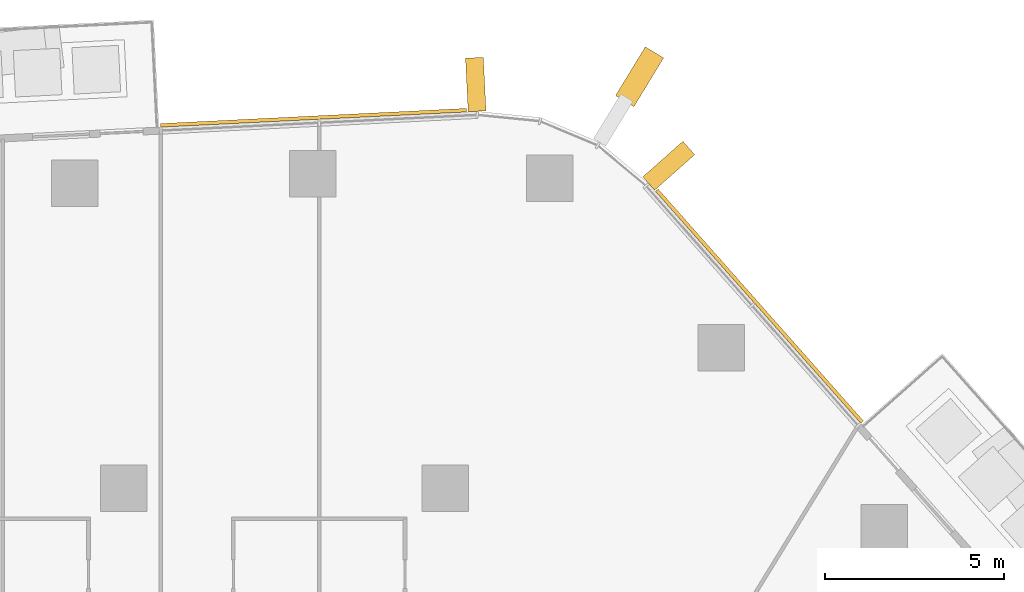
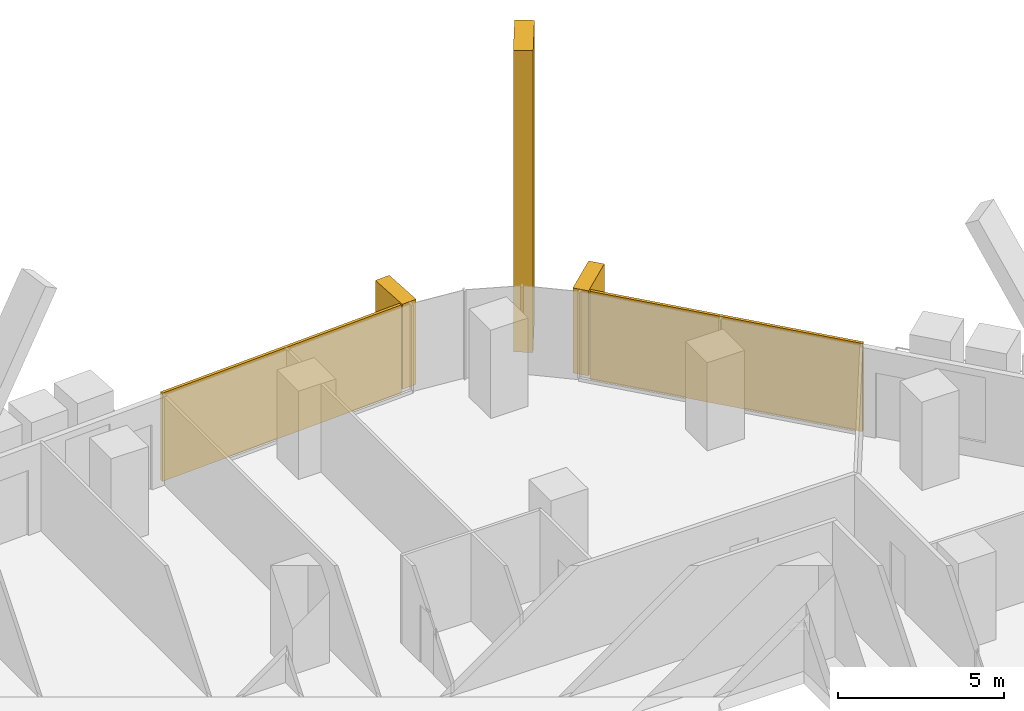
# One storey, part 26 of 26: 5 coverings, 3 elements without a shape of their own.
"""IFC4 building model written with IfcOpenShell, lengths in metres."""

from ifc_helpers import new_model, si_unit, direction, frame, origin, origin_2d, place, context, subcontext, project, spatial, rectangle, extrude, material, layer, layer_set, material_profile, profile_set, type_object, element, aggregate, save


model = new_model("IFC4")

# Units and contexts
model_context = context("Model", 3, precision=1e-05, world=origin(), true_north=direction((0.0, 1.0)))
body_context = subcontext(model_context, "Body", "Model", "MODEL_VIEW")
ifc_project = project(units=[si_unit("LENGTHUNIT", "METRE"), si_unit("AREAUNIT", "SQUARE_METRE"), si_unit("VOLUMEUNIT", "CUBIC_METRE"), si_unit("PLANEANGLEUNIT", "RADIAN"), si_unit("MASSUNIT", "GRAM", prefix="KILO")], contexts=[model_context])

# Site, building, storey
site_placement = place(None, origin())
site = spatial("IfcSite", under=ifc_project, at=site_placement, CompositionType="ELEMENT")
building_placement = place(site_placement, origin())
building = spatial("IfcBuilding", under=site, at=building_placement, Name="Dongbaek Canopy Tower", CompositionType="ELEMENT")
storey_placement = place(building_placement, frame((0.0, 0.0, 95.199951171875)))
storey = spatial("IfcBuildingStorey", under=building, at=storey_placement, Name="L19", CompositionType="ELEMENT", Elevation=95.199951171875)

# Curtain wall, covering
ifc_material_1 = material(Name="Aluminium 6063-T6 pale anodised", Category="aluminium")
ifc_layer_1 = layer(ifc_material_1, 0.199951171875)
ifc_layer_set_1 = layer_set([ifc_layer_1], Name="CW-1 unitised tower curtain wall")
curtain_wall_type = type_object("IfcCurtainWallType", Name="CW-1 unitised tower curtain wall", PredefinedType="NOTDEFINED", material=ifc_layer_set_1)
curtain_wall_1_placement = place(storey_placement, origin())
curtain_wall_1 = element("IfcCurtainWall", 1, at=curtain_wall_1_placement, inside=storey, type_object=curtain_wall_type, Name="CW-1 curtain wall K1.1", PredefinedType="NOTDEFINED")
ifc_material_2 = material(Name="Aluminium 6063-T6 pale metal fin", Category="aluminium")
ifc_material_profile_1 = material_profile(ifc_material_2, rectangle(XDim=1.60009765625, YDim=0.60009765625, at=origin_2d()), Name="Corner fin CN1 600 x 1600 pale metal")
ifc_profile_set_1 = profile_set([ifc_material_profile_1], Name="Aluminium 6063-T6 pale metal fin")
covering_type_1 = type_object("IfcCoveringType", Name="Corner fin CN1 600 x 1600 pale metal", PredefinedType="CLADDING", material=ifc_profile_set_1)
covering_1_placement = place(storey_placement, frame((14.43701171875, 29.517578125, -0.224853515625), z_axis=(0.0, 0.0, 1.0), x_axis=(0.520635660338, 0.853778958036, 0.0)))
covering_1 = element("IfcCovering", 2, at=covering_1_placement, type_object=covering_type_1, Name="Corner fin L19 L21 K1", PredefinedType="CLADDING", context=body_context, shape_type="SweptSolid", body=[
    extrude(rectangle(XDim=1.60009765625, YDim=0.60009765625, at=origin_2d()), origin(), (0.0, 0.0, 1.0), 11.10498046875),
])
aggregate(curtain_wall_1, [covering_1])

curtain_wall_2_placement = place(storey_placement, origin())
curtain_wall_2 = element("IfcCurtainWall", 3, at=curtain_wall_2_placement, inside=storey, type_object=curtain_wall_type, Name="CW-1 curtain wall F0.1", PredefinedType="NOTDEFINED")
ifc_material_3 = material(Name="Perforated aluminium 6063-T6 pale metal screen", Category="aluminium")
ifc_layer_2 = layer(ifc_material_3, 0.10009765625)
ifc_layer_set_2 = layer_set([ifc_layer_2], Name="Facet screen FS1 100 pale metal")
covering_type_2 = type_object("IfcCoveringType", Name="Facet screen FS1 100 pale metal", PredefinedType="CLADDING", material=ifc_layer_set_2)
covering_2_placement = place(storey_placement, frame((17.790283203125, 23.099609375, 0.0), z_axis=(0.0, 0.0, 1.0), x_axis=(-0.66285400008, 0.748748672505, 0.0)))
covering_2 = element("IfcCovering", 4, at=covering_2_placement, type_object=covering_type_2, Name="Facet screen L19 F0", PredefinedType="CLADDING", context=body_context, shape_type="SweptSolid", body=[
    extrude(rectangle(XDim=8.66650390625, YDim=0.10009765625, at=origin_2d()), origin(), (0.0, 0.0, 1.0), 3.25),
])

curtain_wall_3_placement = place(storey_placement, origin())
curtain_wall_3 = element("IfcCurtainWall", 5, at=curtain_wall_3_placement, inside=storey, type_object=curtain_wall_type, Name="CW-1 curtain wall F1.1", PredefinedType="NOTDEFINED")
covering_3_placement = place(storey_placement, frame((5.316162109375, 28.37060546875, 0.0), z_axis=(0.0, 0.0, 1.0), x_axis=(-0.99877222271, -0.049538340132, 0.0)))
covering_3 = element("IfcCovering", 6, at=covering_3_placement, type_object=covering_type_2, Name="Facet screen L19 F1", PredefinedType="CLADDING", context=body_context, shape_type="SweptSolid", body=[
    extrude(rectangle(XDim=8.57275390625, YDim=0.10009765625, at=origin_2d()), origin(), (0.0, 0.0, 1.0), 3.25),
])

# Covering
ifc_material_4 = material(Name="Aluminium 6063-T6 pale metal fin", Category="aluminium")
ifc_material_profile_2 = material_profile(ifc_material_4, rectangle(XDim=1.5, YDim=0.5, at=origin_2d()), Name="Fin FN1 500 x 1500 pale metal")
ifc_profile_set_2 = profile_set([ifc_material_profile_2], Name="Aluminium 6063-T6 pale metal fin")
covering_type_3 = type_object("IfcCoveringType", Name="Fin FN1 500 x 1500 pale metal", PredefinedType="CLADDING", material=ifc_profile_set_2)
covering_4_placement = place(storey_placement, frame((15.2529296875, 27.02783203125, 0.1201171875), z_axis=(0.0, 0.0, 1.0), x_axis=(0.748748761505, 0.662853899547, 0.0)))
covering_4 = element("IfcCovering", 7, at=covering_4_placement, type_object=covering_type_3, Name="Fin F0.1.3", PredefinedType="CLADDING", context=body_context, shape_type="SweptSolid", body=[
    extrude(rectangle(XDim=1.5, YDim=0.5, at=origin_2d()), origin(), (0.0, 0.0, 1.0), 3.1298828125),
])

aggregate(curtain_wall_2, [covering_4, covering_2])

covering_5_placement = place(storey_placement, frame((9.85205078125, 29.300537109375, 0.1201171875), z_axis=(0.0, 0.0, 1.0), x_axis=(-0.049538109177, 0.998772234165, 0.0)))
covering_5 = element("IfcCovering", 8, at=covering_5_placement, type_object=covering_type_3, Name="Fin F1.1.1", PredefinedType="CLADDING", context=body_context, shape_type="SweptSolid", body=[
    extrude(rectangle(XDim=1.5, YDim=0.5, at=origin_2d()), origin(), (0.0, 0.0, 1.0), 3.1298828125),
])

aggregate(curtain_wall_3, [covering_5, covering_3])

save(model, "model.ifc")
